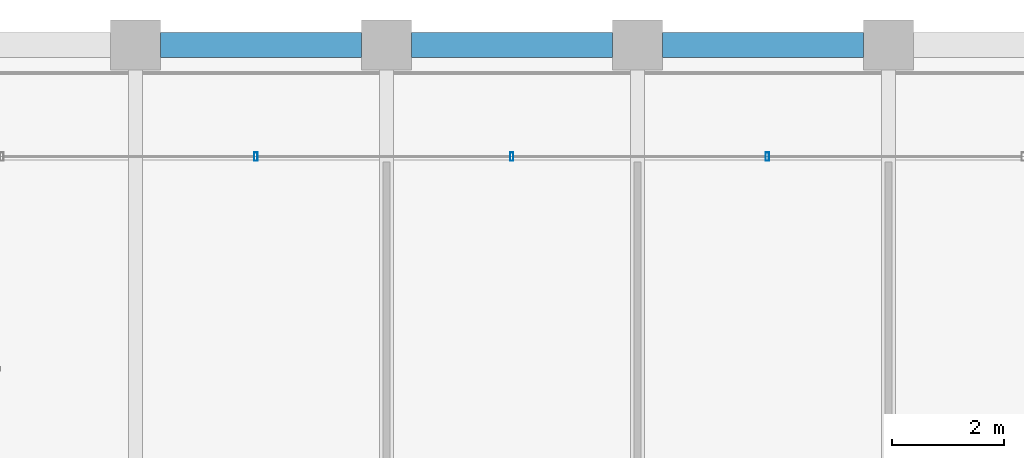
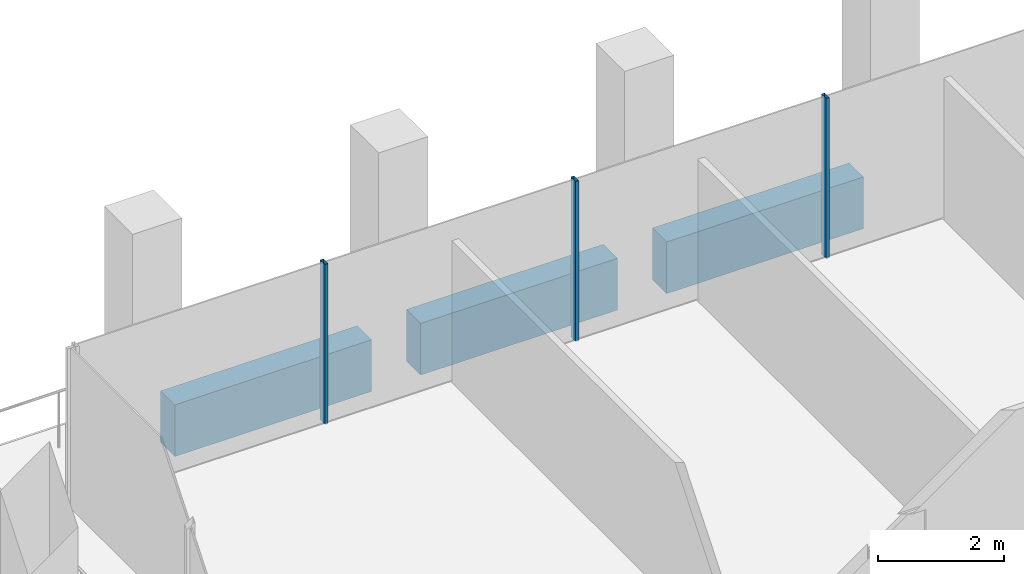
# One storey, part 23 of 40: 3 beams, 3 members, 1 element without a shape of its own.
"""IFC4 building model written with IfcOpenShell, lengths in metres."""

from ifc_helpers import new_model, si_unit, direction, frame, origin, origin_2d, place, context, subcontext, project, spatial, rectangle, hollow_rectangle, extrude, material, material_profile, profile_set, type_object, element, aggregate, save


model = new_model("IFC4")

# Units and contexts
model_context = context("Model", 3, precision=1e-05, world=origin(), true_north=direction((0.0, 1.0)))
body_context = subcontext(model_context, "Body", "Model", "MODEL_VIEW")
ifc_project = project(units=[si_unit("LENGTHUNIT", "METRE"), si_unit("AREAUNIT", "SQUARE_METRE"), si_unit("VOLUMEUNIT", "CUBIC_METRE"), si_unit("PLANEANGLEUNIT", "RADIAN"), si_unit("MASSUNIT", "GRAM", prefix="KILO")], contexts=[model_context])

# Site, building, storey
site_placement = place(None, origin())
site = spatial("IfcSite", under=ifc_project, at=site_placement, CompositionType="ELEMENT")
building_placement = place(site_placement, origin())
building = spatial("IfcBuilding", under=site, at=building_placement, Name="Altepetl Exchange Towers", CompositionType="ELEMENT")
storey_placement = place(building_placement, frame((0.0, 0.0, 169.0)))
storey = spatial("IfcBuildingStorey", under=building, at=storey_placement, Name="L42", CompositionType="ELEMENT", Elevation=169.0)

# Curtain wall, members
ifc_material_1 = material(Name="Aluminium 6063-T6 glazing", Category="aluminium")
curtain_wall_type = type_object("IfcCurtainWallType", Name="Loggia glazing system", PredefinedType="NOTDEFINED", material=ifc_material_1)
curtain_wall_placement = place(storey_placement, origin())
curtain_wall = element("IfcCurtainWall", 1, at=curtain_wall_placement, inside=storey, type_object=curtain_wall_type, Name="CW1 run", PredefinedType="NOTDEFINED")
ifc_material_2 = material(Name="Aluminium 6063-T6", Category="aluminium")
ifc_material_profile_1 = material_profile(ifc_material_2, hollow_rectangle(XDim=0.06005859375, YDim=0.14990234375, WallThickness=0.0029296875, at=origin_2d()), Name="Mullion 60x150 aluminium")
ifc_profile_set_1 = profile_set([ifc_material_profile_1], Name="Aluminium 6063-T6")
member_type = type_object("IfcMemberType", Name="Mullion 60x150 aluminium", PredefinedType="MULLION", material=ifc_profile_set_1)
member_1_placement = place(storey_placement, frame((56.330078125, 70.0, 0.0), z_axis=(0.0, 0.0, 1.0), x_axis=(-1.0, 0.0, 0.0)))
member_1 = element("IfcMember", 2, at=member_1_placement, type_object=member_type, Name="MU1 mullion", PredefinedType="MULLION", context=body_context, shape_type="SweptSolid", body=[
    extrude(hollow_rectangle(XDim=0.06005859375, YDim=0.14990234375, WallThickness=0.0029296875, at=origin_2d()), origin(), (0.0, 0.0, 1.0), 3.10009765625),
])
member_2_placement = place(storey_placement, frame((51.7451171875, 70.0, 0.0), z_axis=(0.0, 0.0, 1.0), x_axis=(-1.0, 0.0, 0.0)))
member_2 = element("IfcMember", 3, at=member_2_placement, type_object=member_type, Name="MU1 mullion", PredefinedType="MULLION", context=body_context, shape_type="SweptSolid", body=[
    extrude(hollow_rectangle(XDim=0.06005859375, YDim=0.14990234375, WallThickness=0.0029296875, at=origin_2d()), origin(), (0.0, 0.0, 1.0), 3.10009765625),
])
member_3_placement = place(storey_placement, frame((47.159912109375, 70.0, 0.0), z_axis=(0.0, 0.0, 1.0), x_axis=(-1.0, 0.0, 0.0)))
member_3 = element("IfcMember", 4, at=member_3_placement, type_object=member_type, Name="MU1 mullion", PredefinedType="MULLION", context=body_context, shape_type="SweptSolid", body=[
    extrude(hollow_rectangle(XDim=0.06005859375, YDim=0.14990234375, WallThickness=0.0029296875, at=origin_2d()), origin(), (0.0, 0.0, 1.0), 3.10009765625),
])
aggregate(curtain_wall, [member_1, member_2, member_3])

# Beams
ifc_material_3 = material(Name="Concrete C50/60 precast with cantera rosa facing", Category="concrete")
ifc_material_profile_2 = material_profile(ifc_material_3, rectangle(XDim=0.449951171875, YDim=1.0, at=origin_2d()), Name="450 x 1000")
ifc_profile_set_2 = profile_set([ifc_material_profile_2], Name="Concrete C50/60 precast with cantera rosa facing")
beam_type = type_object("IfcBeamType", Name="Spandrel beam 450x1000 cantera rosa", PredefinedType="SPANDREL", material=ifc_profile_set_2)
for number, where, z_axis, x_axis, name in (
    (5, (58.050048828125, 72.0, -0.64990234375), (-1.0, 0.0, 0.0), (0.0, -1.0, 0.0), "sp:A:L42:026"),
    (6, (53.550048828125, 72.0, -0.64990234375), (-1.0, 0.0, 0.0), (0.0, -1.0, 0.0), "sp:A:L42:027"),
    (7, (49.050048828125, 72.0, -0.64990234375), (-1.0, 0.0, 0.0), (0.0, -1.0, 0.0), "sp:A:L42:028"),
):
    element("IfcBeam", number, at=place(storey_placement, frame(where, z_axis=z_axis, x_axis=x_axis)), inside=storey, type_object=beam_type, Name=name, PredefinedType="SPANDREL", context=body_context, shape_type="SweptSolid", body=[
        extrude(rectangle(XDim=0.449951171875, YDim=1.0, at=origin_2d()), origin(), (0.0, 0.0, 1.0), 3.60009765625),
    ])

save(model, "model.ifc")
